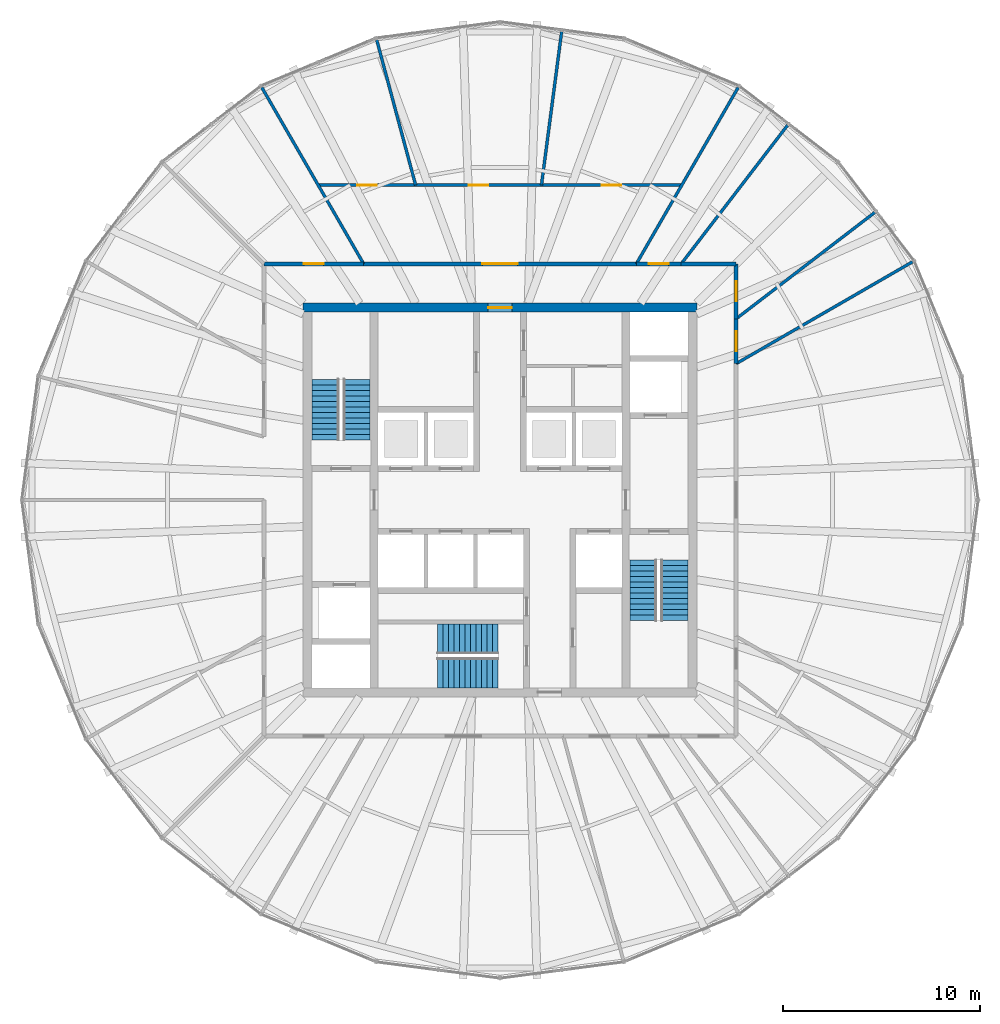
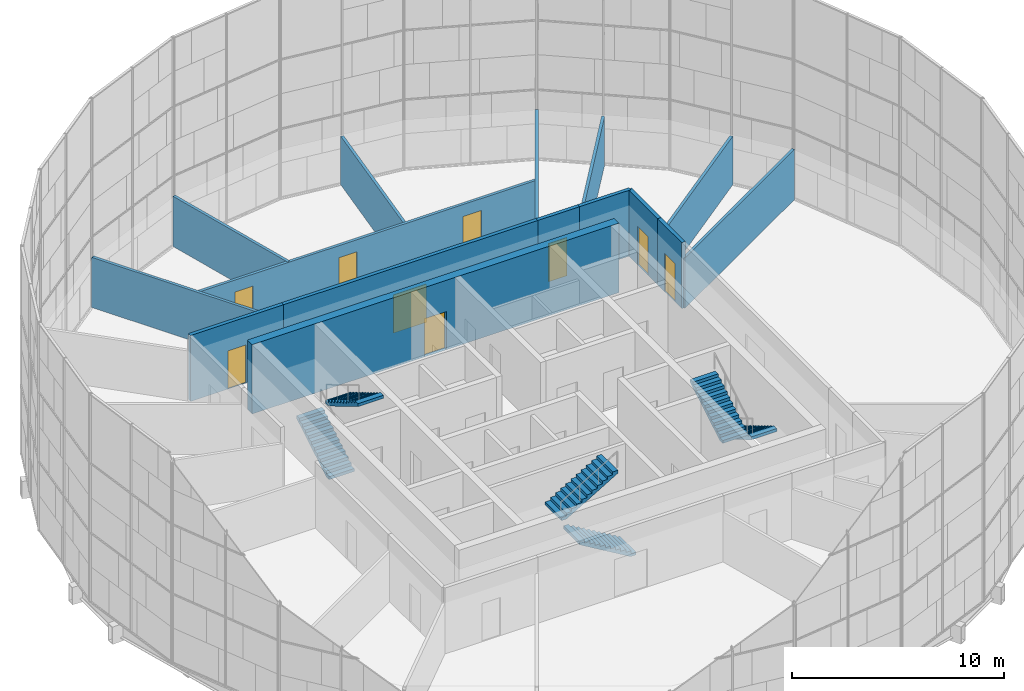
# One storey, part 20 of 22: 15 walls, 9 doors, 6 stair flights, 9 openings, 3 elements without a shape of their own.
"""IFC4 building model written with IfcOpenShell, lengths in metres."""

from ifc_helpers import new_model, si_unit, direction, frame, frame_2d, origin, place, context, subcontext, project, spatial, polyline, rectangle, outline, extrude, material, layer, layer_set, type_object, element, fill, aggregate, save


model = new_model("IFC4")

# Units and contexts
model_context = context("Model", 3, precision=1e-05, world=origin(), true_north=direction((0.0, 1.0)))
body_context = subcontext(model_context, "Body", "Model", "MODEL_VIEW")
ifc_project = project(units=[si_unit("LENGTHUNIT", "METRE"), si_unit("AREAUNIT", "SQUARE_METRE"), si_unit("VOLUMEUNIT", "CUBIC_METRE"), si_unit("PLANEANGLEUNIT", "RADIAN"), si_unit("MASSUNIT", "GRAM", prefix="KILO")], contexts=[model_context])

# Site, building, storey
site_placement = place(None, origin())
site = spatial("IfcSite", under=ifc_project, at=site_placement, CompositionType="ELEMENT")
building_placement = place(site_placement, origin())
building = spatial("IfcBuilding", under=site, at=building_placement, Name="Golbaran Civic Tower", CompositionType="ELEMENT")
storey_placement = place(building_placement, frame((0.0, 0.0, 155.0)))
storey = spatial("IfcBuildingStorey", under=building, at=storey_placement, Name="L37", CompositionType="ELEMENT", Elevation=155.0)

# Wall, opening, door
ifc_material_1 = material(Name="Concrete C50/60", Category="concrete")
ifc_layer_1 = layer(ifc_material_1, 0.449951171875, Name="Concrete C50/60")
ifc_layer_set_1 = layer_set([ifc_layer_1], Name="Concrete C50/60")
wall_type_1 = type_object("IfcWallType", Name="CORE WALL CONCRETE 450", PredefinedType="SOLIDWALL", material=ifc_layer_set_1)
wall_1_placement = place(storey_placement, frame((-10.0, 9.77490234375, 0.0), z_axis=(0.0, 0.0, 1.0), x_axis=(1.0, 0.0, 0.0)))
wall_1 = element("IfcWall", 1, at=wall_1_placement, inside=storey, type_object=wall_type_1, Name="Core wall CN L37", PredefinedType="SOLIDWALL", context=body_context, shape_type="SweptSolid", body=[
    extrude(rectangle(XDim=20.0, YDim=0.449951171875, at=frame_2d((10.0, 0.0))), origin(), (0.0, 0.0, 1.0), 4.0),
])
opening_1_placement = place(wall_1_placement, frame((9.39990234375, 0.0, 0.0)))
opening_1 = element("IfcOpeningElement", 2, at=opening_1_placement, cuts=wall_1, Name="Opening L37.CN", PredefinedType="OPENING", context=body_context, shape_type="SweptSolid", body=[
    extrude(rectangle(XDim=1.199951171875, YDim=2.199951171875, at=frame_2d((0.60009765625, 1.10009765625))), frame((0.0, 0.23486328125, 0.0), z_axis=(0.0, -1.0, 0.0), x_axis=(1.0, 0.0, 0.0)), (0.0, 0.0, 1.0), 0.469970703125),
])
ifc_material_2 = material(Name="Timber door set in steel frame", Category="steel")
door_type_1 = type_object("IfcDoorType", Name="CORE DOOR 1200x2200", OperationType="DOUBLE_DOOR_SINGLE_SWING", PredefinedType="DOOR", material=ifc_material_2)
door_1_placement = place(opening_1_placement, origin())
door_1 = element("IfcDoor", 3, at=door_1_placement, inside=storey, type_object=door_type_1, Name="Core door north", OperationType="DOUBLE_DOOR_SINGLE_SWING", OverallHeight=2.199951171875, OverallWidth=1.199951171875, PredefinedType="DOOR", context=body_context, shape_type="SweptSolid", body=[
    extrude(rectangle(XDim=1.199951171875, YDim=2.199951171875, at=frame_2d((0.60009765625, 1.10009765625))), frame((0.0, 0.02490234375, 0.0), z_axis=(0.0, -1.0, 0.0), x_axis=(1.0, 0.0, 0.0)), (0.0, 0.0, 1.0), 0.050048828125),
])
fill(opening_1, door_1)

ifc_material_3 = material(Name="Gypsum board on steel studs, fire-rated", Category="steel")
ifc_layer_2 = layer(ifc_material_3, 0.199951171875, Name="Gypsum board on steel studs, fire-rated")
ifc_layer_set_2 = layer_set([ifc_layer_2], Name="Gypsum board on steel studs, fire-rated")
wall_type_2 = type_object("IfcWallType", Name="CORRIDOR WALL 200", PredefinedType="PARTITIONING", material=ifc_layer_set_2)
wall_2_placement = place(storey_placement, frame((12.0, 6.92822265625, 0.0), z_axis=(0.0, 0.0, 1.0), x_axis=(0.0, 1.0, 0.0)))
wall_2 = element("IfcWall", 4, at=wall_2_placement, inside=storey, type_object=wall_type_2, Name="Corridor wall L37", PredefinedType="PARTITIONING", context=body_context, shape_type="SweptSolid", body=[
    extrude(rectangle(XDim=2.27978515625, YDim=0.199951171875, at=frame_2d((1.139892578125, 0.0))), origin(), (0.0, 0.0, 1.0), 3.800048828125),
])
opening_2_placement = place(wall_2_placement, frame((0.639892578125, 0.0, 0.0)))
opening_2 = element("IfcOpeningElement", 5, at=opening_2_placement, cuts=wall_2, Name="Opening L37.05", PredefinedType="OPENING", context=body_context, shape_type="SweptSolid", body=[
    extrude(rectangle(XDim=1.0, YDim=2.199951171875, at=frame_2d((0.5, 1.10009765625))), frame((0.0, 0.10986328125, 0.0), z_axis=(0.0, -1.0, 0.0), x_axis=(1.0, 0.0, 0.0)), (0.0, 0.0, 1.0), 0.219970703125),
])
door_type_2 = type_object("IfcDoorType", Name="OFFICE DOOR 1000x2200", OperationType="SINGLE_SWING_LEFT", PredefinedType="DOOR", material=ifc_material_2)
door_2_placement = place(opening_2_placement, origin())
door_2 = element("IfcDoor", 6, at=door_2_placement, inside=storey, type_object=door_type_2, Name="Pantry door L37", OperationType="SINGLE_SWING_LEFT", OverallHeight=2.199951171875, OverallWidth=1.0, PredefinedType="DOOR", context=body_context, shape_type="SweptSolid", body=[
    extrude(rectangle(XDim=1.0, YDim=2.199951171875, at=frame_2d((0.5, 1.10009765625))), frame((0.0, 0.02490234375, 0.0), z_axis=(0.0, -1.0, 0.0), x_axis=(1.0, 0.0, 0.0)), (0.0, 0.0, 1.0), 0.050048828125),
])
fill(opening_2, door_2)

wall_3_placement = place(storey_placement, frame((12.0, 9.2080078125, 0.0), z_axis=(0.0, 0.0, 1.0), x_axis=(0.0, 1.0, 0.0)))
wall_3 = element("IfcWall", 7, at=wall_3_placement, inside=storey, type_object=wall_type_2, Name="Corridor wall L37", PredefinedType="PARTITIONING", context=body_context, shape_type="SweptSolid", body=[
    extrude(rectangle(XDim=2.7919921875, YDim=0.199951171875, at=frame_2d((1.39599609375, 0.0))), origin(), (0.0, 0.0, 1.0), 3.800048828125),
])
opening_3_placement = place(wall_3_placement, frame((0.89599609375, 0.0, 0.0)))
opening_3 = element("IfcOpeningElement", 8, at=opening_3_placement, cuts=wall_3, Name="Opening L37.06", PredefinedType="OPENING", context=body_context, shape_type="SweptSolid", body=[
    extrude(rectangle(XDim=1.0, YDim=2.199951171875, at=frame_2d((0.5, 1.10009765625))), frame((0.0, 0.10986328125, 0.0), z_axis=(0.0, -1.0, 0.0), x_axis=(1.0, 0.0, 0.0)), (0.0, 0.0, 1.0), 0.219970703125),
])
door_3_placement = place(opening_3_placement, origin())
door_3 = element("IfcDoor", 9, at=door_3_placement, inside=storey, type_object=door_type_2, Name="Prayer Room door L37", OperationType="SINGLE_SWING_LEFT", OverallHeight=2.199951171875, OverallWidth=1.0, PredefinedType="DOOR", context=body_context, shape_type="SweptSolid", body=[
    extrude(rectangle(XDim=1.0, YDim=2.199951171875, at=frame_2d((0.5, 1.10009765625))), frame((0.0, 0.02490234375, 0.0), z_axis=(0.0, -1.0, 0.0), x_axis=(1.0, 0.0, 0.0)), (0.0, 0.0, 1.0), 0.050048828125),
])
fill(opening_3, door_3)

# Wall
wall_4_placement = place(storey_placement, frame((12.0, 12.0, 0.0), z_axis=(0.0, 0.0, 1.0), x_axis=(-1.0, 0.0, 0.0)))
element("IfcWall", 10, at=wall_4_placement, inside=storey, type_object=wall_type_2, Name="Corridor wall L37", PredefinedType="PARTITIONING", context=body_context, shape_type="SweptSolid", body=[
    extrude(rectangle(XDim=2.7919921875, YDim=0.199951171875, at=frame_2d((1.39599609375, 0.0))), origin(), (0.0, 0.0, 1.0), 3.800048828125),
])

# Wall, opening, door
wall_5_placement = place(storey_placement, frame((9.2080078125, 12.0, 0.0), z_axis=(0.0, 0.0, 1.0), x_axis=(-1.0, 0.0, 0.0)))
wall_5 = element("IfcWall", 11, at=wall_5_placement, inside=storey, type_object=wall_type_2, Name="Corridor wall L37", PredefinedType="PARTITIONING", context=body_context, shape_type="SweptSolid", body=[
    extrude(rectangle(XDim=2.27978515625, YDim=0.199951171875, at=frame_2d((1.139892578125, 0.0))), origin(), (0.0, 0.0, 1.0), 3.800048828125),
])
opening_4_placement = place(wall_5_placement, frame((0.639892578125, 0.0, 0.0)))
opening_4 = element("IfcOpeningElement", 12, at=opening_4_placement, cuts=wall_5, Name="Opening L37.07", PredefinedType="OPENING", context=body_context, shape_type="SweptSolid", body=[
    extrude(rectangle(XDim=1.0, YDim=2.199951171875, at=frame_2d((0.5, 1.10009765625))), frame((0.0, 0.10986328125, 0.0), z_axis=(0.0, -1.0, 0.0), x_axis=(1.0, 0.0, 0.0)), (0.0, 0.0, 1.0), 0.219970703125),
])
door_4_placement = place(opening_4_placement, origin())
door_4 = element("IfcDoor", 13, at=door_4_placement, inside=storey, type_object=door_type_2, Name="Quiet Room door L37", OperationType="SINGLE_SWING_RIGHT", OverallHeight=2.199951171875, OverallWidth=1.0, PredefinedType="DOOR", context=body_context, shape_type="SweptSolid", body=[
    extrude(rectangle(XDim=1.0, YDim=2.199951171875, at=frame_2d((0.5, 1.10009765625))), frame((0.0, 0.02490234375, 0.0), z_axis=(0.0, -1.0, 0.0), x_axis=(1.0, 0.0, 0.0)), (0.0, 0.0, 1.0), 0.050048828125),
])
fill(opening_4, door_4)

wall_6_placement = place(storey_placement, frame((6.92822265625, 12.0, 0.0), z_axis=(0.0, 0.0, 1.0), x_axis=(-1.0, 0.0, 0.0)))
wall_6 = element("IfcWall", 14, at=wall_6_placement, inside=storey, type_object=wall_type_2, Name="Corridor wall L37", PredefinedType="PARTITIONING", context=body_context, shape_type="SweptSolid", body=[
    extrude(rectangle(XDim=13.8564453125, YDim=0.199951171875, at=frame_2d((6.92822265625, 0.0))), origin(), (0.0, 0.0, 1.0), 3.800048828125),
])
opening_5_placement = place(wall_6_placement, frame((6.0283203125, 0.0, 0.0)))
opening_5 = element("IfcOpeningElement", 15, at=opening_5_placement, cuts=wall_6, Name="Opening L37.08", PredefinedType="OPENING", context=body_context, shape_type="SweptSolid", body=[
    extrude(rectangle(XDim=1.800048828125, YDim=2.199951171875, at=frame_2d((0.89990234375, 1.10009765625))), frame((0.0, 0.10986328125, 0.0), z_axis=(0.0, -1.0, 0.0), x_axis=(1.0, 0.0, 0.0)), (0.0, 0.0, 1.0), 0.219970703125),
])
door_type_3 = type_object("IfcDoorType", Name="OFFICE DOUBLE DOOR 1800x2200", OperationType="DOUBLE_DOOR_SINGLE_SWING", PredefinedType="DOOR", material=ifc_material_2)
door_5_placement = place(opening_5_placement, origin())
door_5 = element("IfcDoor", 16, at=door_5_placement, inside=storey, type_object=door_type_3, Name="Secretariat door L37", OperationType="DOUBLE_DOOR_SINGLE_SWING", OverallHeight=2.199951171875, OverallWidth=1.800048828125, PredefinedType="DOOR", context=body_context, shape_type="SweptSolid", body=[
    extrude(rectangle(XDim=1.800048828125, YDim=2.199951171875, at=frame_2d((0.89990234375, 1.10009765625))), frame((0.0, 0.02490234375, 0.0), z_axis=(0.0, -1.0, 0.0), x_axis=(1.0, 0.0, 0.0)), (0.0, 0.0, 1.0), 0.050048828125),
])
fill(opening_5, door_5)

wall_7_placement = place(storey_placement, frame((-6.92822265625, 12.0, 0.0), z_axis=(0.0, 0.0, 1.0), x_axis=(-1.0, 0.0, 0.0)))
wall_7 = element("IfcWall", 17, at=wall_7_placement, inside=storey, type_object=wall_type_2, Name="Corridor wall L37", PredefinedType="PARTITIONING", context=body_context, shape_type="SweptSolid", body=[
    extrude(rectangle(XDim=5.07177734375, YDim=0.199951171875, at=frame_2d((2.535888671875, 0.0))), origin(), (0.0, 0.0, 1.0), 3.800048828125),
])
opening_6_placement = place(wall_7_placement, frame((2.035888671875, 0.0, 0.0)))
opening_6 = element("IfcOpeningElement", 18, at=opening_6_placement, cuts=wall_7, Name="Opening L37.09", PredefinedType="OPENING", context=body_context, shape_type="SweptSolid", body=[
    extrude(rectangle(XDim=1.0, YDim=2.199951171875, at=frame_2d((0.5, 1.10009765625))), frame((0.0, 0.10986328125, 0.0), z_axis=(0.0, -1.0, 0.0), x_axis=(1.0, 0.0, 0.0)), (0.0, 0.0, 1.0), 0.219970703125),
])
door_6_placement = place(opening_6_placement, origin())
door_6 = element("IfcDoor", 19, at=door_6_placement, inside=storey, type_object=door_type_2, Name="Prayer Room door L37", OperationType="SINGLE_SWING_RIGHT", OverallHeight=2.199951171875, OverallWidth=1.0, PredefinedType="DOOR", context=body_context, shape_type="SweptSolid", body=[
    extrude(rectangle(XDim=1.0, YDim=2.199951171875, at=frame_2d((0.5, 1.10009765625))), frame((0.0, 0.02490234375, 0.0), z_axis=(0.0, -1.0, 0.0), x_axis=(1.0, 0.0, 0.0)), (0.0, 0.0, 1.0), 0.050048828125),
])
fill(opening_6, door_6)

# Walls
ifc_material_4 = material(Name="Gypsum board on steel studs", Category="steel")
ifc_layer_3 = layer(ifc_material_4, 0.14990234375, Name="Gypsum board on steel studs")
ifc_layer_set_3 = layer_set([ifc_layer_3], Name="Gypsum board on steel studs")
wall_type_3 = type_object("IfcWallType", Name="OFFICE PARTITION 150", PredefinedType="PARTITIONING", material=ifc_layer_set_3)
wall_8_placement = place(storey_placement, frame((12.0, 6.92822265625, 0.0), z_axis=(0.0, 0.0, 1.0), x_axis=(0.86602185845, 0.500006140648, 0.0)))
element("IfcWall", 20, at=wall_8_placement, inside=storey, type_object=wall_type_3, Name="Partition 30 L37", PredefinedType="PARTITIONING", context=body_context, shape_type="SweptSolid", body=[
    extrude(rectangle(XDim=10.354736328125, YDim=0.14990234375, at=frame_2d((5.17724609375, 0.0))), origin(), (0.0, 0.0, 1.0), 2.889892578125),
])
for number, where, z_axis, x_axis, name in (
    (21, (12.0, 9.2080078125, 0.0), (0.0, 0.0, 1.0), (0.793355344744, 0.608758816746, 0.0), "Partition 37.5 L37"),
    (22, (9.2080078125, 12.0, 0.0), (0.0, 0.0, 1.0), (0.608758816746, 0.793355344744, 0.0), "Partition 52.5 L37"),
):
    element("IfcWall", number, at=place(storey_placement, frame(where, z_axis=z_axis, x_axis=x_axis)), inside=storey, type_object=wall_type_3, Name=name, PredefinedType="PARTITIONING", context=body_context, shape_type="SweptSolid", body=[
        extrude(rectangle(XDim=8.87841796875, YDim=0.14990234375, at=frame_2d((4.439208984375, 0.0))), origin(), (0.0, 0.0, 1.0), 2.7900390625),
    ])
for number, where, z_axis, x_axis, name in (
    (23, (6.92822265625, 12.0, 0.0), (0.0, 0.0, 1.0), (0.500006140648, 0.86602185845, 0.0), "Partition 60 L37"),
    (24, (-6.92822265625, 12.0, 0.0), (0.0, 0.0, 1.0), (-0.500006140648, 0.86602185845, 0.0), "Partition 120 L37"),
):
    element("IfcWall", number, at=place(storey_placement, frame(where, z_axis=z_axis, x_axis=x_axis)), inside=storey, type_object=wall_type_3, Name=name, PredefinedType="PARTITIONING", context=body_context, shape_type="SweptSolid", body=[
        extrude(rectangle(XDim=10.354736328125, YDim=0.14990234375, at=frame_2d((5.17724609375, 0.0))), origin(), (0.0, 0.0, 1.0), 2.889892578125),
    ])

# Wall, openings, doors
wall_9_placement = place(storey_placement, frame((9.237548828125, 16.0, 0.0), z_axis=(0.0, 0.0, 1.0), x_axis=(-1.0, 0.0, 0.0)))
wall_9 = element("IfcWall", 25, at=wall_9_placement, inside=storey, type_object=wall_type_3, Name="Suite partition L37", PredefinedType="PARTITIONING", context=body_context, shape_type="SweptSolid", body=[
    extrude(rectangle(XDim=18.47509765625, YDim=0.14990234375, at=frame_2d((9.237548828125, 0.0))), origin(), (0.0, 0.0, 1.0), 2.889892578125),
])
opening_7_placement = place(wall_9_placement, frame((3.065673828125, 0.0, 0.0)))
opening_7 = element("IfcOpeningElement", 26, at=opening_7_placement, cuts=wall_9, Name="Opening L37.01", PredefinedType="OPENING", context=body_context, shape_type="SweptSolid", body=[
    extrude(rectangle(XDim=1.0, YDim=2.199951171875, at=frame_2d((0.5, 1.10009765625))), frame((0.0, 0.0849609375, 0.0), z_axis=(0.0, -1.0, 0.0), x_axis=(1.0, 0.0, 0.0)), (0.0, 0.0, 1.0), 0.169921875),
])
opening_8_placement = place(wall_9_placement, frame((9.827880859375, 0.0, 0.0)))
opening_8 = element("IfcOpeningElement", 27, at=opening_8_placement, cuts=wall_9, Name="Opening L37.02", PredefinedType="OPENING", context=body_context, shape_type="SweptSolid", body=[
    extrude(rectangle(XDim=1.0, YDim=2.199951171875, at=frame_2d((0.5, 1.10009765625))), frame((0.0, 0.0849609375, 0.0), z_axis=(0.0, -1.0, 0.0), x_axis=(1.0, 0.0, 0.0)), (0.0, 0.0, 1.0), 0.169921875),
])
opening_9_placement = place(wall_9_placement, frame((15.5, 0.0, 0.0)))
opening_9 = element("IfcOpeningElement", 28, at=opening_9_placement, cuts=wall_9, Name="Opening L37.03", PredefinedType="OPENING", context=body_context, shape_type="SweptSolid", body=[
    extrude(rectangle(XDim=1.0, YDim=2.199951171875, at=frame_2d((0.5, 1.10009765625))), frame((0.0, 0.0849609375, 0.0), z_axis=(0.0, -1.0, 0.0), x_axis=(1.0, 0.0, 0.0)), (0.0, 0.0, 1.0), 0.169921875),
])
door_7_placement = place(opening_7_placement, origin())
door_7 = element("IfcDoor", 29, at=door_7_placement, inside=storey, type_object=door_type_2, Name="Director's Office door L37", OperationType="SINGLE_SWING_LEFT", OverallHeight=2.199951171875, OverallWidth=1.0, PredefinedType="DOOR", context=body_context, shape_type="SweptSolid", body=[
    extrude(rectangle(XDim=1.0, YDim=2.199951171875, at=frame_2d((0.5, 1.10009765625))), frame((0.0, 0.02490234375, 0.0), z_axis=(0.0, -1.0, 0.0), x_axis=(1.0, 0.0, 0.0)), (0.0, 0.0, 1.0), 0.050048828125),
])
fill(opening_7, door_7)
door_8_placement = place(opening_8_placement, origin())
door_8 = element("IfcDoor", 30, at=door_8_placement, inside=storey, type_object=door_type_2, Name="Office door L37", OperationType="SINGLE_SWING_RIGHT", OverallHeight=2.199951171875, OverallWidth=1.0, PredefinedType="DOOR", context=body_context, shape_type="SweptSolid", body=[
    extrude(rectangle(XDim=1.0, YDim=2.199951171875, at=frame_2d((0.5, 1.10009765625))), frame((0.0, 0.02490234375, 0.0), z_axis=(0.0, -1.0, 0.0), x_axis=(1.0, 0.0, 0.0)), (0.0, 0.0, 1.0), 0.050048828125),
])
fill(opening_8, door_8)
door_9_placement = place(opening_9_placement, origin())
door_9 = element("IfcDoor", 31, at=door_9_placement, inside=storey, type_object=door_type_2, Name="Office door L37", OperationType="SINGLE_SWING_RIGHT", OverallHeight=2.199951171875, OverallWidth=1.0, PredefinedType="DOOR", context=body_context, shape_type="SweptSolid", body=[
    extrude(rectangle(XDim=1.0, YDim=2.199951171875, at=frame_2d((0.5, 1.10009765625))), frame((0.0, 0.02490234375, 0.0), z_axis=(0.0, -1.0, 0.0), x_axis=(1.0, 0.0, 0.0)), (0.0, 0.0, 1.0), 0.050048828125),
])
fill(opening_9, door_9)

# Walls
wall_10_placement = place(storey_placement, frame((2.1064453125, 16.0, 0.0), z_axis=(0.0, 0.0, 1.0), x_axis=(0.130510712839, 0.99144689915, 0.0)))
element("IfcWall", 32, at=wall_10_placement, inside=storey, type_object=wall_type_3, Name="Partition 82.5 L37", PredefinedType="PARTITIONING", context=body_context, shape_type="SweptSolid", body=[
    extrude(rectangle(XDim=7.8662109375, YDim=0.14990234375, at=frame_2d((3.93310546875, 0.0))), origin(), (0.0, 0.0, 1.0), 2.7900390625),
])
wall_11_placement = place(storey_placement, frame((-4.287109375, 16.0, 0.0), z_axis=(0.0, 0.0, 1.0), x_axis=(-0.25883290061, 0.965922113611, 0.0)))
element("IfcWall", 33, at=wall_11_placement, inside=storey, type_object=wall_type_3, Name="Partition 105 L37", PredefinedType="PARTITIONING", context=body_context, shape_type="SweptSolid", body=[
    extrude(rectangle(XDim=7.646728515625, YDim=0.14990234375, at=frame_2d((3.8232421875, 0.0))), origin(), (0.0, 0.0, 1.0), 2.889892578125),
])

# Stair, stair flights
ifc_material_5 = material(Name="Concrete C35/45", Category="concrete")
stair_type_1 = type_object("IfcStairType", Name="EXIT STAIR 2950 x 7800, 4000 RISE", PredefinedType="HALF_TURN_STAIR", material=ifc_material_5)
stair_1_placement = place(storey_placement, origin())
stair_1 = element("IfcStair", 34, at=stair_1_placement, inside=storey, type_object=stair_type_1, Name="Stair S1 L37", PredefinedType="HALF_TURN_STAIR")
stair_flight_type_1 = type_object("IfcStairFlightType", Name="STAIR FLIGHT 1375 WIDE", PredefinedType="STRAIGHT", material=ifc_material_5)
stair_flight_1_placement = place(storey_placement, frame((-8.862548828125, 3.050048828125, 0.0), z_axis=(0.0, 0.0, 1.0), x_axis=(0.0, 1.0, 0.0)))
stair_flight_1 = element("IfcStairFlight", 35, at=stair_flight_1_placement, type_object=stair_flight_type_1, Name="ST29578-40 flight 1", NumberOfRisers=12, NumberOfTreads=11, PredefinedType="STRAIGHT", RiserHeight=0.166666667, TreadLength=0.28, context=body_context, shape_type="SweptSolid", body=[
    extrude(outline(polyline([(0.0, 0.0), (0.0, 0.166748046875), (0.280029296875, 0.166748046875), (0.280029296875, 0.333251953125), (0.56005859375, 0.333251953125), (0.56005859375, 0.5), (0.840087890625, 0.5), (0.840087890625, 0.666748046875), (1.1201171875, 0.666748046875), (1.1201171875, 0.833251953125), (1.39990234375, 0.833251953125), (1.39990234375, 1.0), (1.679931640625, 1.0), (1.679931640625, 1.166748046875), (1.9599609375, 1.166748046875), (1.9599609375, 1.333251953125), (2.239990234375, 1.333251953125), (2.239990234375, 1.5), (2.52001953125, 1.5), (2.52001953125, 1.666748046875), (2.800048828125, 1.666748046875), (2.800048828125, 1.833251953125), (3.080078125, 1.833251953125), (3.080078125, 2.0), (3.080078125, 1.658935546875), (0.29296875, 0.0), (0.0, 0.0)])), frame((0.0, 0.6875, 0.0), z_axis=(0.0, -1.0, 0.0), x_axis=(1.0, 0.0, 0.0)), (0.0, 0.0, 1.0), 1.375),
])
stair_flight_2_placement = place(storey_placement, frame((-7.28759765625, 6.1298828125, 2.0), z_axis=(0.0, 0.0, 1.0), x_axis=(0.0, -1.0, 0.0)))
stair_flight_2 = element("IfcStairFlight", 36, at=stair_flight_2_placement, type_object=stair_flight_type_1, Name="ST29578-40 flight 2", NumberOfRisers=12, NumberOfTreads=11, PredefinedType="STRAIGHT", RiserHeight=0.166666667, TreadLength=0.28, context=body_context, shape_type="SweptSolid", body=[
    extrude(outline(polyline([(0.0, 0.0), (0.0, 0.166748046875), (0.280029296875, 0.166748046875), (0.280029296875, 0.333251953125), (0.56005859375, 0.333251953125), (0.56005859375, 0.5), (0.840087890625, 0.5), (0.840087890625, 0.666748046875), (1.1201171875, 0.666748046875), (1.1201171875, 0.833251953125), (1.39990234375, 0.833251953125), (1.39990234375, 1.0), (1.679931640625, 1.0), (1.679931640625, 1.166748046875), (1.9599609375, 1.166748046875), (1.9599609375, 1.333251953125), (2.239990234375, 1.333251953125), (2.239990234375, 1.5), (2.52001953125, 1.5), (2.52001953125, 1.666748046875), (2.800048828125, 1.666748046875), (2.800048828125, 1.833251953125), (3.080078125, 1.833251953125), (3.080078125, 2.0), (3.080078125, 1.658935546875), (0.29296875, 0.0), (0.0, 0.0)])), frame((0.0, 0.6875, 0.0), z_axis=(0.0, -1.0, 0.0), x_axis=(1.0, 0.0, 0.0)), (0.0, 0.0, 1.0), 1.375),
])
aggregate(stair_1, [stair_flight_1, stair_flight_2])

stair_2_placement = place(storey_placement, origin())
stair_2 = element("IfcStair", 37, at=stair_2_placement, inside=storey, type_object=stair_type_1, Name="Stair S2 L37", PredefinedType="HALF_TURN_STAIR")
stair_flight_3_placement = place(storey_placement, frame((8.862548828125, -3.050048828125, 0.0), z_axis=(0.0, 0.0, 1.0), x_axis=(0.0, -1.0, 0.0)))
stair_flight_3 = element("IfcStairFlight", 38, at=stair_flight_3_placement, type_object=stair_flight_type_1, Name="ST29578-40 flight 1", NumberOfRisers=12, NumberOfTreads=11, PredefinedType="STRAIGHT", RiserHeight=0.166666667, TreadLength=0.28, context=body_context, shape_type="SweptSolid", body=[
    extrude(outline(polyline([(0.0, 0.0), (0.0, 0.166748046875), (0.280029296875, 0.166748046875), (0.280029296875, 0.333251953125), (0.56005859375, 0.333251953125), (0.56005859375, 0.5), (0.840087890625, 0.5), (0.840087890625, 0.666748046875), (1.1201171875, 0.666748046875), (1.1201171875, 0.833251953125), (1.39990234375, 0.833251953125), (1.39990234375, 1.0), (1.679931640625, 1.0), (1.679931640625, 1.166748046875), (1.9599609375, 1.166748046875), (1.9599609375, 1.333251953125), (2.239990234375, 1.333251953125), (2.239990234375, 1.5), (2.52001953125, 1.5), (2.52001953125, 1.666748046875), (2.800048828125, 1.666748046875), (2.800048828125, 1.833251953125), (3.080078125, 1.833251953125), (3.080078125, 2.0), (3.080078125, 1.658935546875), (0.29296875, 0.0), (0.0, 0.0)])), frame((0.0, 0.6875, 0.0), z_axis=(0.0, -1.0, 0.0), x_axis=(1.0, 0.0, 0.0)), (0.0, 0.0, 1.0), 1.375),
])
stair_flight_4_placement = place(storey_placement, frame((7.28759765625, -6.1298828125, 2.0), z_axis=(0.0, 0.0, 1.0), x_axis=(0.0, 1.0, 0.0)))
stair_flight_4 = element("IfcStairFlight", 39, at=stair_flight_4_placement, type_object=stair_flight_type_1, Name="ST29578-40 flight 2", NumberOfRisers=12, NumberOfTreads=11, PredefinedType="STRAIGHT", RiserHeight=0.166666667, TreadLength=0.28, context=body_context, shape_type="SweptSolid", body=[
    extrude(outline(polyline([(0.0, 0.0), (0.0, 0.166748046875), (0.280029296875, 0.166748046875), (0.280029296875, 0.333251953125), (0.56005859375, 0.333251953125), (0.56005859375, 0.5), (0.840087890625, 0.5), (0.840087890625, 0.666748046875), (1.1201171875, 0.666748046875), (1.1201171875, 0.833251953125), (1.39990234375, 0.833251953125), (1.39990234375, 1.0), (1.679931640625, 1.0), (1.679931640625, 1.166748046875), (1.9599609375, 1.166748046875), (1.9599609375, 1.333251953125), (2.239990234375, 1.333251953125), (2.239990234375, 1.5), (2.52001953125, 1.5), (2.52001953125, 1.666748046875), (2.800048828125, 1.666748046875), (2.800048828125, 1.833251953125), (3.080078125, 1.833251953125), (3.080078125, 2.0), (3.080078125, 1.658935546875), (0.29296875, 0.0), (0.0, 0.0)])), frame((0.0, 0.6875, 0.0), z_axis=(0.0, -1.0, 0.0), x_axis=(1.0, 0.0, 0.0)), (0.0, 0.0, 1.0), 1.375),
])
aggregate(stair_2, [stair_flight_3, stair_flight_4])

stair_type_2 = type_object("IfcStairType", Name="EXIT STAIR 3250 x 7400, 4000 RISE", PredefinedType="HALF_TURN_STAIR", material=ifc_material_5)
stair_3_placement = place(storey_placement, origin())
stair_3 = element("IfcStair", 40, at=stair_3_placement, inside=storey, type_object=stair_type_2, Name="Stair S3 L37", PredefinedType="HALF_TURN_STAIR")
stair_flight_type_2 = type_object("IfcStairFlightType", Name="STAIR FLIGHT 1525 WIDE", PredefinedType="STRAIGHT", material=ifc_material_5)
stair_flight_5_placement = place(storey_placement, frame((-0.10009765625, -8.78759765625, 0.0), z_axis=(0.0, 0.0, 1.0), x_axis=(-1.0, 0.0, 0.0)))
stair_flight_5 = element("IfcStairFlight", 41, at=stair_flight_5_placement, type_object=stair_flight_type_2, Name="ST32574-40 flight 1", NumberOfRisers=12, NumberOfTreads=11, PredefinedType="STRAIGHT", RiserHeight=0.166666667, TreadLength=0.28, context=body_context, shape_type="SweptSolid", body=[
    extrude(outline(polyline([(0.0, 0.0), (0.0, 0.166748046875), (0.280029296875, 0.166748046875), (0.280029296875, 0.333251953125), (0.56005859375, 0.333251953125), (0.56005859375, 0.5), (0.840087890625, 0.5), (0.840087890625, 0.666748046875), (1.1201171875, 0.666748046875), (1.1201171875, 0.833251953125), (1.39990234375, 0.833251953125), (1.39990234375, 1.0), (1.679931640625, 1.0), (1.679931640625, 1.166748046875), (1.9599609375, 1.166748046875), (1.9599609375, 1.333251953125), (2.239990234375, 1.333251953125), (2.239990234375, 1.5), (2.52001953125, 1.5), (2.52001953125, 1.666748046875), (2.800048828125, 1.666748046875), (2.800048828125, 1.833251953125), (3.080078125, 1.833251953125), (3.080078125, 2.0), (3.080078125, 1.658935546875), (0.29296875, 0.0), (0.0, 0.0)])), frame((0.0, 0.762451171875, 0.0), z_axis=(0.0, -1.0, 0.0), x_axis=(1.0, 0.0, 0.0)), (0.0, 0.0, 1.0), 1.52490234375),
])
stair_flight_6_placement = place(storey_placement, frame((-3.179931640625, -7.0625, 2.0), z_axis=(0.0, 0.0, 1.0), x_axis=(1.0, 0.0, 0.0)))
stair_flight_6 = element("IfcStairFlight", 42, at=stair_flight_6_placement, type_object=stair_flight_type_2, Name="ST32574-40 flight 2", NumberOfRisers=12, NumberOfTreads=11, PredefinedType="STRAIGHT", RiserHeight=0.166666667, TreadLength=0.28, context=body_context, shape_type="SweptSolid", body=[
    extrude(outline(polyline([(0.0, 0.0), (0.0, 0.166748046875), (0.280029296875, 0.166748046875), (0.280029296875, 0.333251953125), (0.56005859375, 0.333251953125), (0.56005859375, 0.5), (0.840087890625, 0.5), (0.840087890625, 0.666748046875), (1.1201171875, 0.666748046875), (1.1201171875, 0.833251953125), (1.39990234375, 0.833251953125), (1.39990234375, 1.0), (1.679931640625, 1.0), (1.679931640625, 1.166748046875), (1.9599609375, 1.166748046875), (1.9599609375, 1.333251953125), (2.239990234375, 1.333251953125), (2.239990234375, 1.5), (2.52001953125, 1.5), (2.52001953125, 1.666748046875), (2.800048828125, 1.666748046875), (2.800048828125, 1.833251953125), (3.080078125, 1.833251953125), (3.080078125, 2.0), (3.080078125, 1.658935546875), (0.29296875, 0.0), (0.0, 0.0)])), frame((0.0, 0.762451171875, 0.0), z_axis=(0.0, -1.0, 0.0), x_axis=(1.0, 0.0, 0.0)), (0.0, 0.0, 1.0), 1.52490234375),
])
aggregate(stair_3, [stair_flight_5, stair_flight_6])

save(model, "model.ifc")
